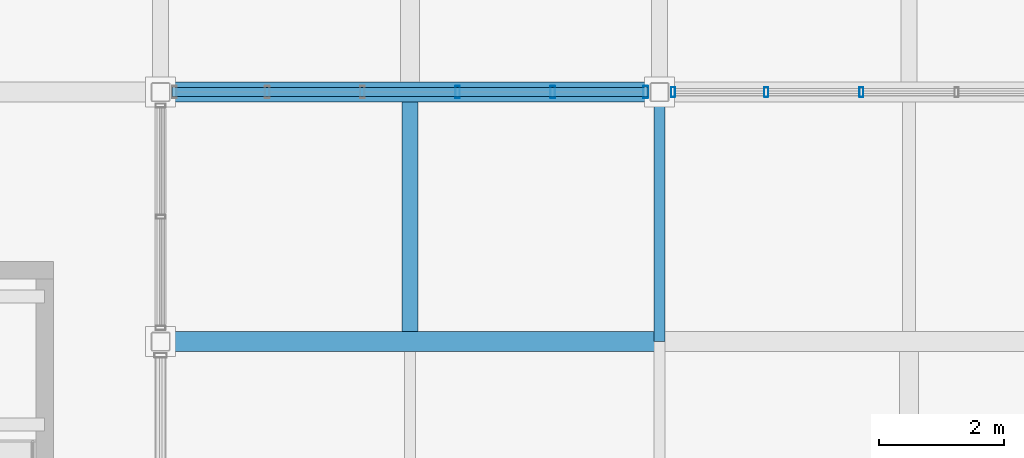
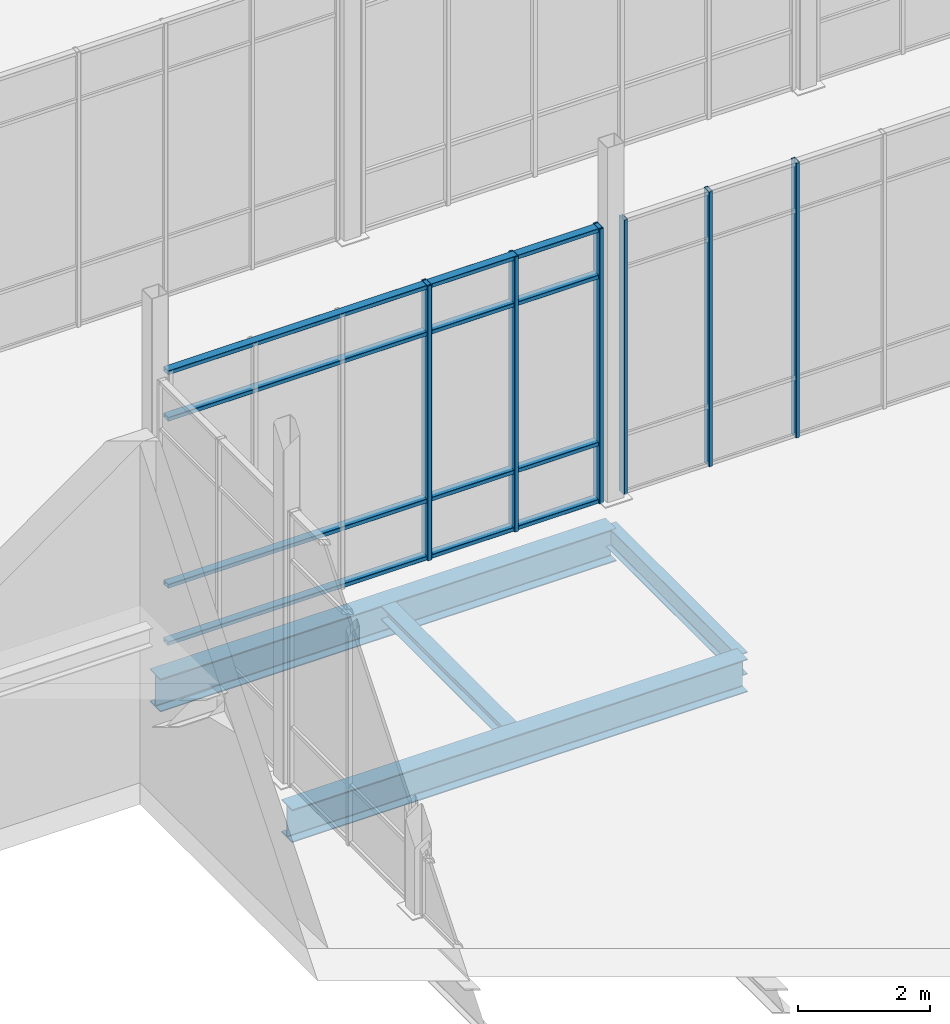
# One storey, part 49 of 140: 10 members, 4 beams, 2 elements without a shape of their own.
"""IFC4 building model written with IfcOpenShell, lengths in metres."""

from ifc_helpers import new_model, si_unit, direction, frame, origin, origin_2d, place, context, subcontext, project, spatial, hollow_rectangle, i_section, extrude, material, material_profile, profile_set, type_object, element, aggregate, save


model = new_model("IFC4")

# Units and contexts
model_context = context("Model", 3, precision=1e-05, world=origin(), true_north=direction((0.0, 1.0)))
body_context = subcontext(model_context, "Body", "Model", "MODEL_VIEW")
ifc_project = project(units=[si_unit("LENGTHUNIT", "METRE"), si_unit("AREAUNIT", "SQUARE_METRE"), si_unit("VOLUMEUNIT", "CUBIC_METRE"), si_unit("PLANEANGLEUNIT", "RADIAN"), si_unit("MASSUNIT", "GRAM", prefix="KILO")], contexts=[model_context])

# Site, building, storey
site_placement = place(None, origin())
site = spatial("IfcSite", under=ifc_project, at=site_placement, CompositionType="ELEMENT")
building_placement = place(site_placement, origin())
building = spatial("IfcBuilding", under=site, at=building_placement, Name="Verrall Gate Interchange", CompositionType="ELEMENT")
storey_placement = place(building_placement, origin())
storey = spatial("IfcBuildingStorey", under=building, at=storey_placement, Name="L01", CompositionType="ELEMENT", Elevation=0.0)

# Beams
ifc_material_1 = material(Name="Structural Steel CSA G40.21 350WT Cat 4", Category="steel")
ifc_material_profile_1 = material_profile(ifc_material_1, i_section(OverallWidth=0.323974609375, OverallDepth=0.611083984375, WebThickness=0.0126953125, FlangeThickness=0.01904296875, FilletRadius=0.014892578125, at=origin_2d()), Name="W610x155")
ifc_profile_set_1 = profile_set([ifc_material_profile_1], Name="Structural Steel CSA G40.21 350WT Cat 4")
beam_type_1 = type_object("IfcBeamType", Name="B-08 Structural Beam W610x155", PredefinedType="BEAM", material=ifc_profile_set_1)
for number, where, z_axis, x_axis, name in (
    (1, (108.0, 44.0, -0.805419921875), (1.0, 0.0, 0.0), (0.0, 1.0, 0.0), "L01 Girder BM-L01-0901 (B-08)"),
    (2, (108.0, 48.0, -0.805419921875), (1.0, 0.0, 0.0), (0.0, 1.0, 0.0), "L01 Girder BM-L01-0926 (B-08)"),
):
    element("IfcBeam", number, at=place(storey_placement, frame(where, z_axis=z_axis, x_axis=x_axis)), inside=storey, type_object=beam_type_1, Name=name, PredefinedType="BEAM", context=body_context, shape_type="SweptSolid", body=[
        extrude(i_section(OverallWidth=0.323974609375, OverallDepth=0.611083984375, WebThickness=0.0126953125, FlangeThickness=0.01904296875, FilletRadius=0.014892578125, at=origin_2d()), origin(), (0.0, 0.0, 1.0), 8.0),
    ])
ifc_material_2 = material(Name="Structural Steel CSA G40.21 350W", Category="steel")
ifc_material_profile_2 = material_profile(ifc_material_2, i_section(OverallWidth=0.178955078125, OverallDepth=0.409912109375, WebThickness=0.0087890625, FlangeThickness=0.014404296875, FilletRadius=0.011962890625, at=origin_2d()), Name="W410x67")
ifc_profile_set_2 = profile_set([ifc_material_profile_2], Name="Structural Steel CSA G40.21 350W")
beam_type_2 = type_object("IfcBeamType", Name="B-12 Structural Beam W410x67", PredefinedType="BEAM", material=ifc_profile_set_2)
beam_1_placement = place(storey_placement, frame((116.0, 44.0, -0.705078125), z_axis=(0.0, 1.0, 0.0), x_axis=(-1.0, 0.0, 0.0)))
element("IfcBeam", 3, at=beam_1_placement, inside=storey, type_object=beam_type_2, Name="L01 Girder BM-L01-1185 (B-12)", PredefinedType="BEAM", context=body_context, shape_type="SweptSolid", body=[
    extrude(i_section(OverallWidth=0.178955078125, OverallDepth=0.409912109375, WebThickness=0.0087890625, FlangeThickness=0.014404296875, FilletRadius=0.011962890625, at=origin_2d()), origin(), (0.0, 0.0, 1.0), 4.0),
])

# Curtain wall, members
ifc_material_3 = material(Name="Thermally Broken Anodized Aluminium Curtain Wall Framing", Category="aluminium")
curtain_wall_type = type_object("IfcCurtainWallType", Name="CW-06 Unitized Curtain Wall 7631x5100", PredefinedType="NOTDEFINED", material=ifc_material_3)
curtain_wall_1_placement = place(storey_placement, origin())
curtain_wall_1 = element("IfcCurtainWall", 4, at=curtain_wall_1_placement, inside=storey, type_object=curtain_wall_type, Name="L01 Unitized Curtain Wall CW-L01-010", PredefinedType="NOTDEFINED")
ifc_material_4 = material(Name="Thermally Broken Anodized Aluminium Curtain Wall Framing", Category="aluminium")
ifc_material_profile_3 = material_profile(ifc_material_4, hollow_rectangle(XDim=0.06494140625, YDim=0.159912109375, WallThickness=0.00390625, InnerFilletRadius=0.00390625, OuterFilletRadius=0.008056640625, at=origin_2d()), Name="CWM160x65x4")
ifc_profile_set_3 = profile_set([ifc_material_profile_3], Name="Thermally Broken Anodized Aluminium Curtain Wall Framing")
member_type_1 = type_object("IfcMemberType", Name="CM-01 Curtain Mullion CWM160x65x4", PredefinedType="MULLION", material=ifc_profile_set_3)
member_1_placement = place(storey_placement, frame((116.217041015625, 48.0, 0.0), z_axis=(0.0, 0.0, 1.0), x_axis=(1.0, 0.0, 0.0)))
member_1 = element("IfcMember", 5, at=member_1_placement, type_object=member_type_1, Name="CW-L01-010 Mullion 1", PredefinedType="MULLION", context=body_context, shape_type="SweptSolid", body=[
    extrude(hollow_rectangle(XDim=0.06494140625, YDim=0.159912109375, WallThickness=0.00390625, InnerFilletRadius=0.00390625, OuterFilletRadius=0.008056640625, at=origin_2d()), origin(), (0.0, 0.0, 1.0), 5.10009765625),
])
member_2_placement = place(storey_placement, frame((117.710693359375, 48.0, 0.0), z_axis=(0.0, 0.0, 1.0), x_axis=(1.0, 0.0, 0.0)))
member_2 = element("IfcMember", 6, at=member_2_placement, type_object=member_type_1, Name="CW-L01-010 Mullion 2", PredefinedType="MULLION", context=body_context, shape_type="SweptSolid", body=[
    extrude(hollow_rectangle(XDim=0.06494140625, YDim=0.159912109375, WallThickness=0.00390625, InnerFilletRadius=0.00390625, OuterFilletRadius=0.008056640625, at=origin_2d()), origin(), (0.0, 0.0, 1.0), 5.10009765625),
])
member_3_placement = place(storey_placement, frame((119.23681640625, 48.0, 0.0), z_axis=(0.0, 0.0, 1.0), x_axis=(1.0, 0.0, 0.0)))
member_3 = element("IfcMember", 7, at=member_3_placement, type_object=member_type_1, Name="CW-L01-010 Mullion 3", PredefinedType="MULLION", context=body_context, shape_type="SweptSolid", body=[
    extrude(hollow_rectangle(XDim=0.06494140625, YDim=0.159912109375, WallThickness=0.00390625, InnerFilletRadius=0.00390625, OuterFilletRadius=0.008056640625, at=origin_2d()), origin(), (0.0, 0.0, 1.0), 5.10009765625),
])
aggregate(curtain_wall_1, [member_1, member_2, member_3])

curtain_wall_2_placement = place(storey_placement, origin())
curtain_wall_2 = element("IfcCurtainWall", 8, at=curtain_wall_2_placement, inside=storey, type_object=curtain_wall_type, Name="L01 Unitized Curtain Wall CW-L01-009", PredefinedType="NOTDEFINED")
ifc_material_5 = material(Name="Thermally Broken Anodized Aluminium Curtain Wall Framing", Category="aluminium")
ifc_material_profile_4 = material_profile(ifc_material_5, hollow_rectangle(XDim=0.074951171875, YDim=0.199951171875, WallThickness=0.0048828125, InnerFilletRadius=0.0048828125, OuterFilletRadius=0.010009765625, at=origin_2d()), Name="CWM200x75x5")
ifc_profile_set_4 = profile_set([ifc_material_profile_4], Name="Thermally Broken Anodized Aluminium Curtain Wall Framing")
member_type_2 = type_object("IfcMemberType", Name="CM-02 Curtain Mullion CWM200x75x5", PredefinedType="MULLION", material=ifc_profile_set_4)
member_4_placement = place(storey_placement, frame((112.76318359375, 48.0, 0.0), z_axis=(0.0, 0.0, 1.0), x_axis=(1.0, 0.0, 0.0)))
member_4 = element("IfcMember", 9, at=member_4_placement, type_object=member_type_2, Name="CW-L01-009 Mullion 4", PredefinedType="MULLION", context=body_context, shape_type="SweptSolid", body=[
    extrude(hollow_rectangle(XDim=0.074951171875, YDim=0.199951171875, WallThickness=0.0048828125, InnerFilletRadius=0.0048828125, OuterFilletRadius=0.010009765625, at=origin_2d()), origin(), (0.0, 0.0, 1.0), 5.10009765625),
])
member_5_placement = place(storey_placement, frame((114.289306640625, 48.0, 0.0), z_axis=(0.0, 0.0, 1.0), x_axis=(1.0, 0.0, 0.0)))
member_5 = element("IfcMember", 10, at=member_5_placement, type_object=member_type_2, Name="CW-L01-009 Mullion 5", PredefinedType="MULLION", context=body_context, shape_type="SweptSolid", body=[
    extrude(hollow_rectangle(XDim=0.074951171875, YDim=0.199951171875, WallThickness=0.0048828125, InnerFilletRadius=0.0048828125, OuterFilletRadius=0.010009765625, at=origin_2d()), origin(), (0.0, 0.0, 1.0), 5.10009765625),
])
member_6_placement = place(storey_placement, frame((115.778076171875, 48.0, 0.0), z_axis=(0.0, 0.0, 1.0), x_axis=(1.0, 0.0, 0.0)))
member_6 = element("IfcMember", 11, at=member_6_placement, type_object=member_type_2, Name="CW-L01-009 Mullion 6", PredefinedType="MULLION", context=body_context, shape_type="SweptSolid", body=[
    extrude(hollow_rectangle(XDim=0.074951171875, YDim=0.199951171875, WallThickness=0.0048828125, InnerFilletRadius=0.0048828125, OuterFilletRadius=0.010009765625, at=origin_2d()), origin(), (0.0, 0.0, 1.0), 5.10009765625),
])
ifc_material_6 = material(Name="Thermally Broken Anodized Aluminium Curtain Wall Framing", Category="aluminium")
ifc_material_profile_5 = material_profile(ifc_material_6, hollow_rectangle(XDim=0.14990234375, YDim=0.074951171875, WallThickness=0.00439453125, InnerFilletRadius=0.00439453125, OuterFilletRadius=0.009033203125, at=origin_2d()), Name="CWT150x75x4.5")
ifc_profile_set_5 = profile_set([ifc_material_profile_5], Name="Thermally Broken Anodized Aluminium Curtain Wall Framing")
member_type_3 = type_object("IfcMemberType", Name="CT-02 Curtain Transom CWT150x75x4.5", PredefinedType="USERDEFINED", material=ifc_profile_set_5)
member_7_placement = place(storey_placement, frame((108.1845703125, 48.0, 0.03759765625), z_axis=(1.0, 0.0, 0.0), x_axis=(0.0, 1.0, 0.0)))
member_7 = element("IfcMember", 12, at=member_7_placement, type_object=member_type_3, Name="CW-L01-009 Transom 1", ObjectType="TRANSOM", PredefinedType="USERDEFINED", context=body_context, shape_type="SweptSolid", body=[
    extrude(hollow_rectangle(XDim=0.14990234375, YDim=0.074951171875, WallThickness=0.00439453125, InnerFilletRadius=0.00439453125, OuterFilletRadius=0.009033203125, at=origin_2d()), origin(), (0.0, 0.0, 1.0), 7.630859375),
])
member_8_placement = place(storey_placement, frame((108.1845703125, 48.0, 1.10009765625), z_axis=(1.0, 0.0, 0.0), x_axis=(0.0, 1.0, 0.0)))
member_8 = element("IfcMember", 13, at=member_8_placement, type_object=member_type_3, Name="CW-L01-009 Transom 2", ObjectType="TRANSOM", PredefinedType="USERDEFINED", context=body_context, shape_type="SweptSolid", body=[
    extrude(hollow_rectangle(XDim=0.14990234375, YDim=0.074951171875, WallThickness=0.00439453125, InnerFilletRadius=0.00439453125, OuterFilletRadius=0.009033203125, at=origin_2d()), origin(), (0.0, 0.0, 1.0), 7.630859375),
])
member_9_placement = place(storey_placement, frame((108.1845703125, 48.0, 4.199951171875), z_axis=(1.0, 0.0, 0.0), x_axis=(0.0, 1.0, 0.0)))
member_9 = element("IfcMember", 14, at=member_9_placement, type_object=member_type_3, Name="CW-L01-009 Transom 3", ObjectType="TRANSOM", PredefinedType="USERDEFINED", context=body_context, shape_type="SweptSolid", body=[
    extrude(hollow_rectangle(XDim=0.14990234375, YDim=0.074951171875, WallThickness=0.00439453125, InnerFilletRadius=0.00439453125, OuterFilletRadius=0.009033203125, at=origin_2d()), origin(), (0.0, 0.0, 1.0), 7.630859375),
])
member_10_placement = place(storey_placement, frame((108.1845703125, 48.0, 5.0625), z_axis=(1.0, 0.0, 0.0), x_axis=(0.0, 1.0, 0.0)))
member_10 = element("IfcMember", 15, at=member_10_placement, type_object=member_type_3, Name="CW-L01-009 Transom 4", ObjectType="TRANSOM", PredefinedType="USERDEFINED", context=body_context, shape_type="SweptSolid", body=[
    extrude(hollow_rectangle(XDim=0.14990234375, YDim=0.074951171875, WallThickness=0.00439453125, InnerFilletRadius=0.00439453125, OuterFilletRadius=0.009033203125, at=origin_2d()), origin(), (0.0, 0.0, 1.0), 7.630859375),
])
aggregate(curtain_wall_2, [member_4, member_5, member_6, member_7, member_8, member_9, member_10])

# Beam
ifc_material_7 = material(Name="Structural Steel CSA G40.21 350W", Category="steel")
ifc_material_profile_6 = material_profile(ifc_material_7, i_section(OverallWidth=0.25390625, OverallDepth=0.2529296875, WebThickness=0.008544921875, FlangeThickness=0.01416015625, FilletRadius=0.011962890625, at=origin_2d()), Name="W250x73")
ifc_profile_set_6 = profile_set([ifc_material_profile_6], Name="Structural Steel CSA G40.21 350W")
beam_type_3 = type_object("IfcBeamType", Name="J-05 Floor Joist W250x73", PredefinedType="JOIST", material=ifc_profile_set_6)
beam_2_placement = place(storey_placement, frame((112.0, 44.162109375, -0.62646484375), z_axis=(0.0, 1.0, 0.0), x_axis=(-1.0, 0.0, 0.0)))
element("IfcBeam", 16, at=beam_2_placement, inside=storey, type_object=beam_type_3, Name="L01 Secondary Floor Joist JST-L01-1391", PredefinedType="JOIST", context=body_context, shape_type="SweptSolid", body=[
    extrude(i_section(OverallWidth=0.25390625, OverallDepth=0.2529296875, WebThickness=0.008544921875, FlangeThickness=0.01416015625, FilletRadius=0.011962890625, at=origin_2d()), origin(), (0.0, 0.0, 1.0), 3.67578125),
])

save(model, "model.ifc")
